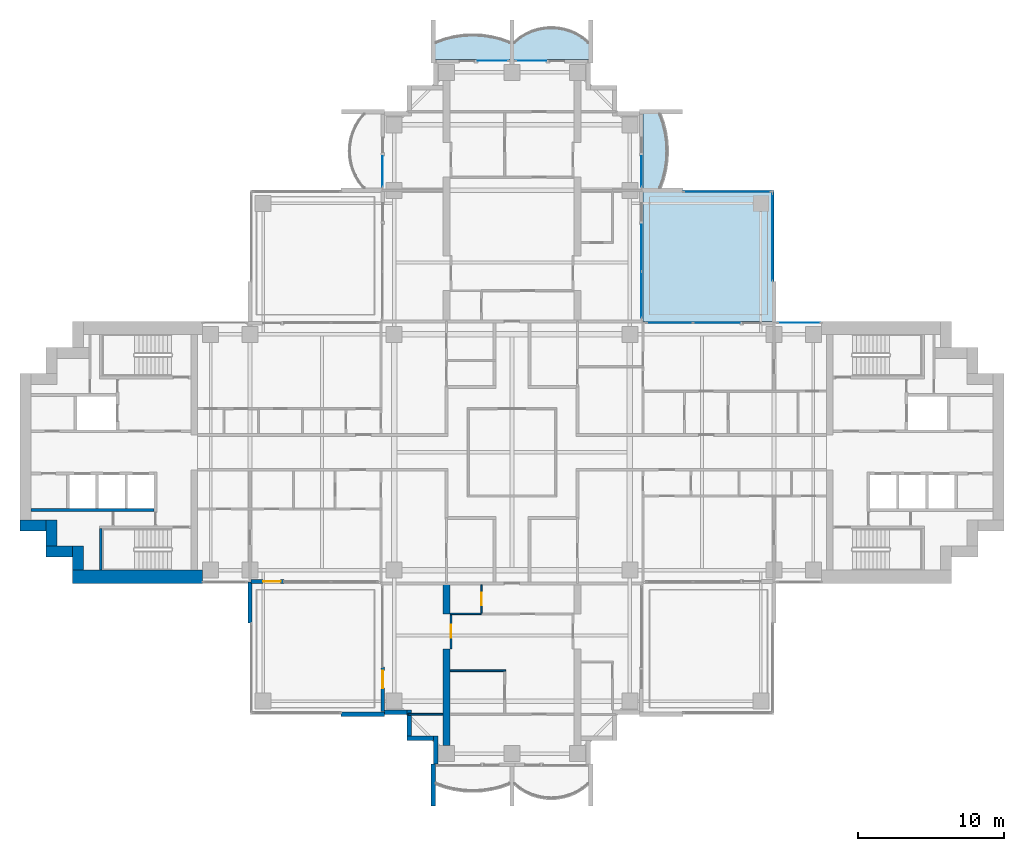
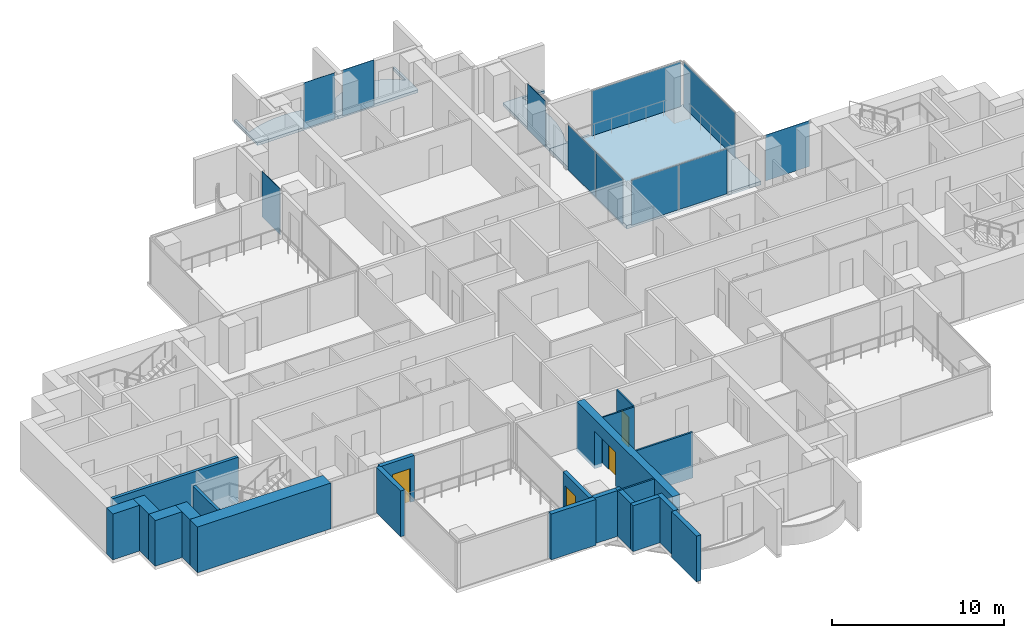
# One storey, part 8 of 18: 22 walls, 11 plates, 4 doors, 4 slabs, 4 openings, 9 elements without a shape of their own.
"""IFC4 building model written with IfcOpenShell, lengths in metres."""

from ifc_helpers import new_model, si_unit, direction, frame, frame_2d, origin, origin_2d, place, context, subcontext, project, spatial, polyline, rectangle, outline, extrude, material, layer, layer_set, material_profile, profile_set, type_object, element, fill, aggregate, save


model = new_model("IFC4")

# Units and contexts
model_context = context("Model", 3, precision=1e-05, world=origin(), true_north=direction((0.0, 1.0)))
body_context = subcontext(model_context, "Body", "Model", "MODEL_VIEW")
ifc_project = project(units=[si_unit("LENGTHUNIT", "METRE"), si_unit("AREAUNIT", "SQUARE_METRE"), si_unit("VOLUMEUNIT", "CUBIC_METRE"), si_unit("PLANEANGLEUNIT", "RADIAN"), si_unit("MASSUNIT", "GRAM", prefix="KILO")], contexts=[model_context])

# Site, building, storey
site_placement = place(None, origin())
site = spatial("IfcSite", under=ifc_project, at=site_placement, CompositionType="ELEMENT")
building_placement = place(site_placement, origin())
building = spatial("IfcBuilding", under=site, at=building_placement, Name="Perihelion Cross Residences", CompositionType="ELEMENT")
storey_placement = place(building_placement, frame((0.0, 0.0, 123.39990234375)))
storey = spatial("IfcBuildingStorey", under=building, at=storey_placement, Name="L29", CompositionType="ELEMENT", Elevation=123.39990234375)

# Slabs
ifc_material_1 = material(Name="Concrete C40/50", Category="concrete")
ifc_layer_1 = layer(ifc_material_1, 0.199951171875)
ifc_layer_set_1 = layer_set([ifc_layer_1], Name="Balcony slab 200")
slab_type_1 = type_object("IfcSlabType", Name="Balcony slab 200", PredefinedType="FLOOR", material=ifc_layer_set_1)
slab_1_placement = place(storey_placement, frame((0.0, 0.0, -0.199951171875)))
element("IfcSlab", 1, at=slab_1_placement, inside=storey, type_object=slab_type_1, Name="Slab BK1 L29 north side east bay 2 balcony", PredefinedType="FLOOR", context=body_context, shape_type="SweptSolid", body=[
    extrude(outline(polyline([(9.0, 18.0), (9.0, 23.39990234375), (11.699951171875, 23.39990234375), (11.699951171875, 23.25), (10.199951171875, 23.25), (10.423583984375, 22.612548828125), (10.57861328125, 21.97509765625), (10.669921875, 21.33740234375), (10.699951171875, 20.699951171875), (10.669921875, 20.0625), (10.57861328125, 19.425048828125), (10.423583984375, 18.78759765625), (10.199951171875, 18.14990234375), (11.699951171875, 18.14990234375), (11.699951171875, 18.0), (9.0, 18.0)])), origin(), (0.0, 0.0, 1.0), 0.199951171875),
])
slab_2_placement = place(storey_placement, frame((0.0, 0.0, -0.199951171875)))
element("IfcSlab", 2, at=slab_2_placement, inside=storey, type_object=slab_type_1, Name="Slab BK1 L29 north tip north bay 1 balcony", PredefinedType="FLOOR", context=body_context, shape_type="SweptSolid", body=[
    extrude(outline(polyline([(5.39990234375, 27.0), (0.0, 27.0), (0.0, 29.699951171875), (0.14990234375, 29.699951171875), (0.14990234375, 28.199951171875), (0.574951171875, 28.5400390625), (1.0, 28.792724609375), (1.425048828125, 28.9765625), (1.85009765625, 29.1025390625), (2.27490234375, 29.17578125), (2.699951171875, 29.199951171875), (3.125, 29.17578125), (3.550048828125, 29.1025390625), (3.97509765625, 28.9765625), (4.39990234375, 28.792724609375), (4.824951171875, 28.5400390625), (5.25, 28.199951171875), (5.25, 29.699951171875), (5.39990234375, 29.699951171875), (5.39990234375, 27.0)])), origin(), (0.0, 0.0, 1.0), 0.199951171875),
])
slab_3_placement = place(storey_placement, frame((0.0, 0.0, -0.199951171875)))
element("IfcSlab", 3, at=slab_3_placement, inside=storey, type_object=slab_type_1, Name="Slab BK1 L29 north tip north bay 2 balcony", PredefinedType="FLOOR", context=body_context, shape_type="SweptSolid", body=[
    extrude(outline(polyline([(0.0, 27.0), (-5.39990234375, 27.0), (-5.39990234375, 29.699951171875), (-5.25, 29.699951171875), (-5.25, 28.199951171875), (-4.612548828125, 28.423583984375), (-3.97509765625, 28.57861328125), (-3.33740234375, 28.669921875), (-2.699951171875, 28.699951171875), (-2.0625, 28.669921875), (-1.425048828125, 28.57861328125), (-0.78759765625, 28.423583984375), (-0.14990234375, 28.199951171875), (-0.14990234375, 29.699951171875), (0.0, 29.699951171875), (0.0, 27.0)])), origin(), (0.0, 0.0, 1.0), 0.199951171875),
])

# Curtain wall, plate
ifc_material_2 = material(Name="Bronze anodised aluminium, tinted glazing", Category="aluminium")
curtain_wall_type_1 = type_object("IfcCurtainWallType", Name="CW1", PredefinedType="NOTDEFINED", material=ifc_material_2)
curtain_wall_1_placement = place(storey_placement, origin())
curtain_wall_1 = element("IfcCurtainWall", 4, at=curtain_wall_1_placement, inside=storey, type_object=curtain_wall_type_1, Name="Curtain wall CW1 L29 east side north bay 1", PredefinedType="NOTDEFINED")
ifc_material_3 = material(Name="Tinted laminated glass", Category="glass")
ifc_layer_2 = layer(ifc_material_3, 0.028076171875)
ifc_layer_set_2 = layer_set([ifc_layer_2], Name="CW1 panel")
plate_type_1 = type_object("IfcPlateType", Name="CW1 panel", PredefinedType="CURTAIN_PANEL", material=ifc_layer_set_2)
plate_1_placement = place(storey_placement, frame((19.72509765625, 8.89990234375, 0.0), z_axis=(0.0, 0.0, 1.0), x_axis=(-1.0, 0.0, 0.0)))
plate_1 = element("IfcPlate", 5, at=plate_1_placement, type_object=plate_type_1, Name="CW1 panel 1", PredefinedType="CURTAIN_PANEL", context=body_context, shape_type="SweptSolid", body=[
    extrude(rectangle(XDim=2.929931640625, YDim=0.028076171875, at=origin_2d()), origin(), (0.0, 0.0, 1.0), 3.25),
])
aggregate(curtain_wall_1, [plate_1])

# Curtain wall, plates
curtain_wall_2_placement = place(storey_placement, origin())
curtain_wall_2 = element("IfcCurtainWall", 6, at=curtain_wall_2_placement, inside=storey, type_object=curtain_wall_type_1, Name="Curtain wall CW1 L29 east side north bay 2", PredefinedType="NOTDEFINED")
plate_2_placement = place(storey_placement, frame((14.052490234375, 8.89990234375, 0.000244140625), z_axis=(0.0, 0.0, 1.0), x_axis=(-1.0, 0.0, 0.0)))
plate_2 = element("IfcPlate", 7, at=plate_2_placement, type_object=plate_type_1, Name="CW1 panel 1", PredefinedType="CURTAIN_PANEL", context=body_context, shape_type="SweptSolid", body=[
    extrude(rectangle(XDim=3.195068359375, YDim=0.028076171875, at=origin_2d()), origin(), (0.0, 0.0, 1.0), 3.18994140625),
])
plate_3_placement = place(storey_placement, frame((10.827392578125, 8.89990234375, 0.000244140625), z_axis=(0.0, 0.0, 1.0), x_axis=(-1.0, 0.0, 0.0)))
plate_3 = element("IfcPlate", 8, at=plate_3_placement, type_object=plate_type_1, Name="CW1 panel 2", PredefinedType="CURTAIN_PANEL", context=body_context, shape_type="SweptSolid", body=[
    extrude(rectangle(XDim=3.135009765625, YDim=0.028076171875, at=origin_2d()), origin(), (0.0, 0.0, 1.0), 3.18994140625),
])
aggregate(curtain_wall_2, [plate_2, plate_3])

curtain_wall_3_placement = place(storey_placement, origin())
curtain_wall_3 = element("IfcCurtainWall", 9, at=curtain_wall_3_placement, inside=storey, type_object=curtain_wall_type_1, Name="Curtain wall CW1 L29 north side east bay 1", PredefinedType="NOTDEFINED")
plate_4_placement = place(storey_placement, frame((8.89990234375, 10.827392578125, 0.000244140625), z_axis=(0.0, 0.0, 1.0), x_axis=(0.0, 1.0, 0.0)))
plate_4 = element("IfcPlate", 10, at=plate_4_placement, type_object=plate_type_1, Name="CW1 panel 1", PredefinedType="CURTAIN_PANEL", context=body_context, shape_type="SweptSolid", body=[
    extrude(rectangle(XDim=3.135009765625, YDim=0.028076171875, at=origin_2d()), origin(), (0.0, 0.0, 1.0), 3.18994140625),
])
plate_5_placement = place(storey_placement, frame((8.89990234375, 14.052490234375, 0.000244140625), z_axis=(0.0, 0.0, 1.0), x_axis=(0.0, 1.0, 0.0)))
plate_5 = element("IfcPlate", 11, at=plate_5_placement, type_object=plate_type_1, Name="CW1 panel 2", PredefinedType="CURTAIN_PANEL", context=body_context, shape_type="SweptSolid", body=[
    extrude(rectangle(XDim=3.195068359375, YDim=0.028076171875, at=origin_2d()), origin(), (0.0, 0.0, 1.0), 3.18994140625),
])
aggregate(curtain_wall_3, [plate_4, plate_5])

# Curtain wall, plate
curtain_wall_4_placement = place(storey_placement, origin())
curtain_wall_4 = element("IfcCurtainWall", 12, at=curtain_wall_4_placement, inside=storey, type_object=curtain_wall_type_1, Name="Curtain wall CW1 L29 north side east bay 2", PredefinedType="NOTDEFINED")
plate_6_placement = place(storey_placement, frame((8.89990234375, 19.304931640625, 0.0), z_axis=(0.0, 0.0, 1.0), x_axis=(0.0, 1.0, 0.0)))
plate_6 = element("IfcPlate", 13, at=plate_6_placement, type_object=plate_type_1, Name="CW1 panel 1", PredefinedType="CURTAIN_PANEL", context=body_context, shape_type="SweptSolid", body=[
    extrude(rectangle(XDim=2.090087890625, YDim=0.028076171875, at=origin_2d()), origin(), (0.0, 0.0, 1.0), 3.25),
])
aggregate(curtain_wall_4, [plate_6])

curtain_wall_5_placement = place(storey_placement, origin())
curtain_wall_5 = element("IfcCurtainWall", 14, at=curtain_wall_5_placement, inside=storey, type_object=curtain_wall_type_1, Name="Curtain wall CW1 L29 north tip north bay 1", PredefinedType="NOTDEFINED")
plate_7_placement = place(storey_placement, frame((1.304931640625, 26.89990234375, 0.0), z_axis=(0.0, 0.0, 1.0), x_axis=(-1.0, 0.0, 0.0)))
plate_7 = element("IfcPlate", 15, at=plate_7_placement, type_object=plate_type_1, Name="CW1 panel 1", PredefinedType="CURTAIN_PANEL", context=body_context, shape_type="SweptSolid", body=[
    extrude(rectangle(XDim=2.090087890625, YDim=0.028076171875, at=origin_2d()), origin(), (0.0, 0.0, 1.0), 3.25),
])
aggregate(curtain_wall_5, [plate_7])

curtain_wall_6_placement = place(storey_placement, origin())
curtain_wall_6 = element("IfcCurtainWall", 16, at=curtain_wall_6_placement, inside=storey, type_object=curtain_wall_type_1, Name="Curtain wall CW1 L29 north tip north bay 2", PredefinedType="NOTDEFINED")
plate_8_placement = place(storey_placement, frame((-1.304931640625, 26.89990234375, 0.0), z_axis=(0.0, 0.0, 1.0), x_axis=(-1.0, 0.0, 0.0)))
plate_8 = element("IfcPlate", 17, at=plate_8_placement, type_object=plate_type_1, Name="CW1 panel 1", PredefinedType="CURTAIN_PANEL", context=body_context, shape_type="SweptSolid", body=[
    extrude(rectangle(XDim=2.090087890625, YDim=0.028076171875, at=origin_2d()), origin(), (0.0, 0.0, 1.0), 3.25),
])
aggregate(curtain_wall_6, [plate_8])

curtain_wall_7_placement = place(storey_placement, origin())
curtain_wall_7 = element("IfcCurtainWall", 18, at=curtain_wall_7_placement, inside=storey, type_object=curtain_wall_type_1, Name="Curtain wall CW1 L29 north side west bay 1", PredefinedType="NOTDEFINED")
plate_9_placement = place(storey_placement, frame((-8.89990234375, 19.304931640625, 0.0), z_axis=(0.0, 0.0, 1.0), x_axis=(0.0, -1.0, 0.0)))
plate_9 = element("IfcPlate", 19, at=plate_9_placement, type_object=plate_type_1, Name="CW1 panel 1", PredefinedType="CURTAIN_PANEL", context=body_context, shape_type="SweptSolid", body=[
    extrude(rectangle(XDim=2.090087890625, YDim=0.028076171875, at=origin_2d()), origin(), (0.0, 0.0, 1.0), 3.25),
])
aggregate(curtain_wall_7, [plate_9])

ifc_material_4 = material(Name="Bronze anodised aluminium, tinted glazing", Category="aluminium")
curtain_wall_type_2 = type_object("IfcCurtainWallType", Name="CW4", PredefinedType="NOTDEFINED", material=ifc_material_4)
curtain_wall_8_placement = place(storey_placement, origin())
curtain_wall_8 = element("IfcCurtainWall", 20, at=curtain_wall_8_placement, inside=storey, type_object=curtain_wall_type_2, Name="Curtain wall CW4 L29 pocket north-east 1 1", PredefinedType="NOTDEFINED")
ifc_material_5 = material(Name="Tinted laminated glass", Category="glass")
ifc_layer_3 = layer(ifc_material_5, 0.030029296875)
ifc_layer_set_3 = layer_set([ifc_layer_3], Name="CW4 panel")
plate_type_2 = type_object("IfcPlateType", Name="CW4 panel", PredefinedType="CURTAIN_PANEL", material=ifc_layer_set_3)
plate_10_placement = place(storey_placement, frame((14.784912109375, 17.89990234375, 0.000244140625), z_axis=(0.0, 0.0, 1.0), x_axis=(1.0, 0.0, 0.0)))
plate_10 = element("IfcPlate", 21, at=plate_10_placement, type_object=plate_type_2, Name="CW4 panel 1", PredefinedType="CURTAIN_PANEL", context=body_context, shape_type="SweptSolid", body=[
    extrude(rectangle(XDim=5.969970703125, YDim=0.030029296875, at=origin_2d()), origin(), (0.0, 0.0, 1.0), 3.18994140625),
])
aggregate(curtain_wall_8, [plate_10])

curtain_wall_9_placement = place(storey_placement, origin())
curtain_wall_9 = element("IfcCurtainWall", 22, at=curtain_wall_9_placement, inside=storey, type_object=curtain_wall_type_2, Name="Curtain wall CW4 L29 pocket north-east 1 2", PredefinedType="NOTDEFINED")
plate_11_placement = place(storey_placement, frame((17.89990234375, 14.784912109375, 0.000244140625), z_axis=(0.0, 0.0, 1.0), x_axis=(0.0, -1.0, 0.0)))
plate_11 = element("IfcPlate", 23, at=plate_11_placement, type_object=plate_type_2, Name="CW4 panel 1", PredefinedType="CURTAIN_PANEL", context=body_context, shape_type="SweptSolid", body=[
    extrude(rectangle(XDim=5.969970703125, YDim=0.030029296875, at=origin_2d()), origin(), (0.0, 0.0, 1.0), 3.18994140625),
])
aggregate(curtain_wall_9, [plate_11])

# Slab
ifc_material_6 = material(Name="Concrete C40/50", Category="concrete")
ifc_layer_4 = layer(ifc_material_6, 0.25)
ifc_layer_set_4 = layer_set([ifc_layer_4], Name="Winter garden slab")
slab_type_2 = type_object("IfcSlabType", Name="Winter garden slab", PredefinedType="FLOOR", material=ifc_layer_set_4)
slab_4_placement = place(storey_placement, frame((0.0, 0.0, -0.25)))
element("IfcSlab", 24, at=slab_4_placement, inside=storey, type_object=slab_type_2, Name="Slab BK3 L29 pocket north-east", PredefinedType="FLOOR", context=body_context, shape_type="SweptSolid", body=[
    extrude(outline(polyline([(18.0, 9.0), (18.0, 18.0), (9.0, 18.0), (9.0, 9.0), (18.0, 9.0)])), origin(), (0.0, 0.0, 1.0), 0.25),
])

# Wall, opening, door
ifc_material_7 = material(Name="Concrete C30/37, bronze-clad", Category="concrete")
ifc_layer_5 = layer(ifc_material_7, 0.25)
ifc_layer_set_5 = layer_set([ifc_layer_5], Name="Bronze-clad pier wall 250")
wall_type_1 = type_object("IfcWallType", Name="Bronze-clad pier wall 250", PredefinedType="SOLIDWALL", material=ifc_layer_set_5)
wall_1_placement = place(storey_placement, frame((-17.93994140625, -8.875, 0.0), z_axis=(0.0, 0.0, 1.0), x_axis=(1.0, 0.0, 0.0)))
wall_1 = element("IfcWall", 25, at=wall_1_placement, inside=storey, type_object=wall_type_1, Name="Wall FW1 L29 west side south bay 2 pier", PredefinedType="SOLIDWALL", context=body_context, shape_type="SweptSolid", body=[
    extrude(rectangle(XDim=2.2900390625, YDim=0.25, at=frame_2d((1.14501953125, 0.0))), origin(), (0.0, 0.0, 1.0), 3.25),
])
opening_1_placement = place(wall_1_placement, frame((0.840087890625, 0.0, 0.0)))
opening_1 = element("IfcOpeningElement", 26, at=opening_1_placement, cuts=wall_1, Name="Opening L29.E09", PredefinedType="OPENING", context=body_context, shape_type="SweptSolid", body=[
    extrude(rectangle(XDim=1.199951171875, YDim=2.39990234375, at=frame_2d((0.60009765625, 1.199951171875))), frame((0.0, 0.135009765625, 0.0), z_axis=(0.0, -1.0, 0.0), x_axis=(1.0, 0.0, 0.0)), (0.0, 0.0, 1.0), 0.27001953125),
])
ifc_material_8 = material(Name="Bronze anodised aluminium, glazed", Category="aluminium")
door_type_1 = type_object("IfcDoorType", Name="Balcony door 1200 x 2400", OperationType="NOTDEFINED", PredefinedType="DOOR", material=ifc_material_8)
door_1_placement = place(opening_1_placement, origin())
door_1 = element("IfcDoor", 27, at=door_1_placement, inside=storey, type_object=door_type_1, Name="Door L29.E09 west side south bay 2", OperationType="SINGLE_SWING_RIGHT", OverallHeight=2.39990234375, OverallWidth=1.199951171875, PredefinedType="DOOR", context=body_context, shape_type="SweptSolid", body=[
    extrude(rectangle(XDim=1.199951171875, YDim=2.39990234375, at=frame_2d((0.60009765625, 1.199951171875))), frame((0.0, 0.02490234375, 0.0), z_axis=(0.0, -1.0, 0.0), x_axis=(1.0, 0.0, 0.0)), (0.0, 0.0, 1.0), 0.050048828125),
])
fill(opening_1, door_1)

wall_2_placement = place(storey_placement, frame((-8.875, -14.75, 0.0), z_axis=(0.0, 0.0, 1.0), x_axis=(0.0, -1.0, 0.0)))
wall_2 = element("IfcWall", 28, at=wall_2_placement, inside=storey, type_object=wall_type_1, Name="Wall FW1 L29 south side west bay 1 pier", PredefinedType="SOLIDWALL", context=body_context, shape_type="SweptSolid", body=[
    extrude(rectangle(XDim=3.050048828125, YDim=0.25, at=frame_2d((1.52490234375, 0.0))), origin(), (0.0, 0.0, 1.0), 3.25),
])
opening_2_placement = place(wall_2_placement, frame((0.25, 0.0, 0.0)))
opening_2 = element("IfcOpeningElement", 29, at=opening_2_placement, cuts=wall_2, Name="Opening L29.E10", PredefinedType="OPENING", context=body_context, shape_type="SweptSolid", body=[
    extrude(rectangle(XDim=1.199951171875, YDim=2.39990234375, at=frame_2d((0.60009765625, 1.199951171875))), frame((0.0, 0.135009765625, 0.0), z_axis=(0.0, -1.0, 0.0), x_axis=(1.0, 0.0, 0.0)), (0.0, 0.0, 1.0), 0.27001953125),
])
door_2_placement = place(opening_2_placement, origin())
door_2 = element("IfcDoor", 30, at=door_2_placement, inside=storey, type_object=door_type_1, Name="Door L29.E10 south side west bay 1", OperationType="SINGLE_SWING_LEFT", OverallHeight=2.39990234375, OverallWidth=1.199951171875, PredefinedType="DOOR", context=body_context, shape_type="SweptSolid", body=[
    extrude(rectangle(XDim=1.199951171875, YDim=2.39990234375, at=frame_2d((0.60009765625, 1.199951171875))), frame((0.0, 0.02490234375, 0.0), z_axis=(0.0, -1.0, 0.0), x_axis=(1.0, 0.0, 0.0)), (0.0, 0.0, 1.0), 0.050048828125),
])
fill(opening_2, door_2)

# Walls
ifc_material_9 = material(Name="Concrete C30/37, bronze-clad", Category="concrete")
ifc_layer_6 = layer(ifc_material_9, 0.300048828125)
ifc_layer_set_6 = layer_set([ifc_layer_6], Name="Bronze-clad serration wall 300")
wall_type_2 = type_object("IfcWallType", Name="Bronze-clad serration wall 300", PredefinedType="SOLIDWALL", material=ifc_layer_set_6)
wall_3_placement = place(storey_placement, frame((-8.75, -17.85009765625, 0.0), z_axis=(0.0, 0.0, 1.0), x_axis=(1.0, 0.0, 0.0)))
element("IfcWall", 31, at=wall_3_placement, inside=storey, type_object=wall_type_2, Name="Wall SR1 L29 south corner south-west 1", PredefinedType="SOLIDWALL", context=body_context, shape_type="SweptSolid", body=[
    extrude(rectangle(XDim=1.550048828125, YDim=0.300048828125, at=frame_2d((0.77490234375, 0.0))), origin(), (0.0, 0.0, 1.0), 3.25),
])
for number, where, z_axis, x_axis, name in (
    (32, (-7.050048828125, -17.699951171875, 0.0), (0.0, 0.0, 1.0), (0.0, -1.0, 0.0), "Wall SR1 L29 south corner south-west 2"),
    (33, (-7.199951171875, -19.64990234375, 0.0), (0.0, 0.0, 1.0), (1.0, 0.0, 0.0), "Wall SR1 L29 south corner south-west 3"),
):
    element("IfcWall", number, at=place(storey_placement, frame(where, z_axis=z_axis, x_axis=x_axis)), inside=storey, type_object=wall_type_2, Name=name, PredefinedType="SOLIDWALL", context=body_context, shape_type="SweptSolid", body=[
        extrude(rectangle(XDim=1.800048828125, YDim=0.300048828125, at=frame_2d((0.89990234375, 0.0))), origin(), (0.0, 0.0, 1.0), 3.25),
    ])
wall_4_placement = place(storey_placement, frame((-5.25, -19.5, 0.0), z_axis=(0.0, 0.0, 1.0), x_axis=(0.0, -1.0, 0.0)))
element("IfcWall", 34, at=wall_4_placement, inside=storey, type_object=wall_type_2, Name="Wall SR1 L29 south corner south-west 4", PredefinedType="SOLIDWALL", context=body_context, shape_type="SweptSolid", body=[
    extrude(rectangle(XDim=1.919921875, YDim=0.300048828125, at=frame_2d((0.9599609375, 0.0))), origin(), (0.0, 0.0, 1.0), 3.25),
])
ifc_material_10 = material(Name="Concrete C60/75", Category="concrete")
ifc_layer_7 = layer(ifc_material_10, 0.75)
ifc_layer_set_7 = layer_set([ifc_layer_7], Name="Core wall, outer 750")
wall_type_3 = type_object("IfcWallType", Name="Core wall, outer 750", PredefinedType="SHEAR", material=ifc_layer_set_7)
wall_5_placement = place(storey_placement, frame((-29.824951171875, -8.10009765625, 0.0), z_axis=(0.0, 0.0, 1.0), x_axis=(0.0, 1.0, 0.0)))
element("IfcWall", 35, at=wall_5_placement, inside=storey, type_object=wall_type_3, Name="West core core wall, outer", PredefinedType="SHEAR", context=body_context, shape_type="SweptSolid", body=[
    extrude(rectangle(XDim=1.650146484375, YDim=0.75, at=frame_2d((0.8251953125, 0.0))), origin(), (0.0, 0.0, 1.0), 3.25),
])
for number, where, z_axis, x_axis, name in (
    (36, (-32.0, -6.824951171875, 0.0), (0.0, 0.0, 1.0), (1.0, 0.0, 0.0), "West core core wall, outer"),
    (37, (-31.625, -6.449951171875, 0.0), (0.0, 0.0, 1.0), (0.0, 1.0, 0.0), "West core core wall, outer"),
    (38, (-33.800048828125, -5.02490234375, 0.0), (0.0, 0.0, 1.0), (1.0, 0.0, 0.0), "West core core wall, outer"),
):
    element("IfcWall", number, at=place(storey_placement, frame(where, z_axis=z_axis, x_axis=x_axis)), inside=storey, type_object=wall_type_3, Name=name, PredefinedType="SHEAR", context=body_context, shape_type="SweptSolid", body=[
        extrude(rectangle(XDim=1.800048828125, YDim=0.75, at=frame_2d((0.89990234375, 0.0))), origin(), (0.0, 0.0, 1.0), 3.25),
    ])
ifc_material_11 = material(Name="Concrete C60/75", Category="concrete")
ifc_layer_8 = layer(ifc_material_11, 0.89990234375)
ifc_layer_set_8 = layer_set([ifc_layer_8], Name="Core wall, outer 900")
wall_type_4 = type_object("IfcWallType", Name="Core wall, outer 900", PredefinedType="SHEAR", material=ifc_layer_set_8)
wall_6_placement = place(storey_placement, frame((-30.199951171875, -8.550048828125, 0.0), z_axis=(0.0, 0.0, 1.0), x_axis=(1.0, 0.0, 0.0)))
element("IfcWall", 39, at=wall_6_placement, inside=storey, type_object=wall_type_4, Name="West core core wall, outer", PredefinedType="SHEAR", context=body_context, shape_type="SweptSolid", body=[
    extrude(rectangle(XDim=8.949951171875, YDim=0.89990234375, at=frame_2d((4.47509765625, 0.0))), origin(), (0.0, 0.0, 1.0), 3.25),
])

# Wall, opening, door
ifc_material_12 = material(Name="Plasterboard partition")
ifc_layer_9 = layer(ifc_material_12, 0.1201171875)
ifc_layer_set_9 = layer_set([ifc_layer_9], Name="Infill panel 120")
wall_type_5 = type_object("IfcWallType", Name="Infill panel 120", PredefinedType="PARTITIONING", material=ifc_layer_set_9)
wall_7_placement = place(storey_placement, frame((-4.18994140625, -11.10009765625, 0.0), z_axis=(0.0, 0.0, 1.0), x_axis=(0.0, -1.0, 0.0)))
wall_7 = element("IfcWall", 40, at=wall_7_placement, inside=storey, type_object=wall_type_5, Name="Partition L29 WI06", PredefinedType="PARTITIONING", context=body_context, shape_type="SweptSolid", body=[
    extrude(rectangle(XDim=2.39990234375, YDim=0.1201171875, at=frame_2d((1.199951171875, 0.0))), origin(), (0.0, 0.0, 1.0), 2.400146484375),
])
opening_3_placement = place(wall_7_placement, frame((0.75, 0.0, 0.0)))
opening_3 = element("IfcOpeningElement", 41, at=opening_3_placement, cuts=wall_7, Name="Opening L29.A54", PredefinedType="OPENING", context=body_context, shape_type="SweptSolid", body=[
    extrude(rectangle(XDim=0.89990234375, YDim=2.10009765625, at=frame_2d((0.449951171875, 1.050048828125))), frame((0.0, 0.070068359375, 0.0), z_axis=(0.0, -1.0, 0.0), x_axis=(1.0, 0.0, 0.0)), (0.0, 0.0, 1.0), 0.14013671875),
])
ifc_material_13 = material(Name="Timber door leaf", Category="wood")
door_type_2 = type_object("IfcDoorType", Name="Interior room door 900 x 2100", OperationType="SINGLE_SWING_LEFT", PredefinedType="DOOR", material=ifc_material_13)
door_3_placement = place(opening_3_placement, origin())
door_3 = element("IfcDoor", 42, at=door_3_placement, inside=storey, type_object=door_type_2, Name="Door L29.A54", OperationType="SINGLE_SWING_RIGHT", OverallHeight=2.10009765625, OverallWidth=0.89990234375, PredefinedType="DOOR", context=body_context, shape_type="SweptSolid", body=[
    extrude(rectangle(XDim=0.89990234375, YDim=2.10009765625, at=frame_2d((0.449951171875, 1.050048828125))), frame((0.0, 0.02490234375, 0.0), z_axis=(0.0, -1.0, 0.0), x_axis=(1.0, 0.0, 0.0)), (0.0, 0.0, 1.0), 0.050048828125),
])
fill(opening_3, door_3)

# Walls
ifc_material_14 = material(Name="Plasterboard partition")
ifc_layer_10 = layer(ifc_material_14, 0.1201171875)
ifc_layer_set_10 = layer_set([ifc_layer_10], Name="Partition wall 120")
wall_type_6 = type_object("IfcWallType", Name="Partition wall 120", PredefinedType="PARTITIONING", material=ifc_layer_set_10)
wall_8_placement = place(storey_placement, frame((-0.43994140625, -15.0, 0.0), z_axis=(0.0, 0.0, 1.0), x_axis=(-1.0, 0.0, 0.0)))
element("IfcWall", 43, at=wall_8_placement, inside=storey, type_object=wall_type_6, Name="Partition L29 W078", PredefinedType="PARTITIONING", context=body_context, shape_type="SweptSolid", body=[
    extrude(rectangle(XDim=3.81005859375, YDim=0.1201171875, at=frame_2d((1.905029296875, 0.0))), origin(), (0.0, 0.0, 1.0), 3.25),
])
wall_9_placement = place(storey_placement, frame((-4.75, -18.0, 0.0), z_axis=(0.0, 0.0, 1.0), x_axis=(-1.0, 0.0, 0.0)))
element("IfcWall", 44, at=wall_9_placement, inside=storey, type_object=wall_type_6, Name="Partition L29 W083", PredefinedType="PARTITIONING", context=body_context, shape_type="SweptSolid", body=[
    extrude(rectangle(XDim=2.3701171875, YDim=0.1201171875, at=frame_2d((1.18505859375, 0.0))), origin(), (0.0, 0.0, 1.0), 3.25),
])
ifc_material_15 = material(Name="Precast concrete C50/60", Category="concrete")
ifc_layer_11 = layer(ifc_material_15, 0.300048828125)
ifc_layer_set_11 = layer_set([ifc_layer_11], Name="Precast concrete C50/60 blade wall 300")
wall_type_7 = type_object("IfcWallType", Name="Precast concrete C50/60 blade wall 300", PredefinedType="SOLIDWALL", material=ifc_layer_set_11)
wall_10_placement = place(storey_placement, frame((-18.0, -8.919921875, 0.0), z_axis=(0.0, 0.0, 1.0), x_axis=(0.0, -1.0, 0.0)))
element("IfcWall", 45, at=wall_10_placement, inside=storey, type_object=wall_type_7, Name="Wall BL1 L29 no. 1", PredefinedType="SOLIDWALL", context=body_context, shape_type="SweptSolid", body=[
    extrude(rectangle(XDim=2.820068359375, YDim=0.300048828125, at=frame_2d((1.41015625, 0.0))), origin(), (0.0, 0.0, 1.0), 3.25),
])
wall_11_placement = place(storey_placement, frame((-8.75, -18.0, 0.0), z_axis=(0.0, 0.0, 1.0), x_axis=(-1.0, 0.0, 0.0)))
element("IfcWall", 46, at=wall_11_placement, inside=storey, type_object=wall_type_7, Name="Wall BL1 L29 no. 5", PredefinedType="SOLIDWALL", context=body_context, shape_type="SweptSolid", body=[
    extrude(rectangle(XDim=2.989990234375, YDim=0.300048828125, at=frame_2d((1.4951171875, 0.0))), origin(), (0.0, 0.0, 1.0), 3.25),
])
wall_12_placement = place(storey_placement, frame((-5.39990234375, -21.419921875, 0.0), z_axis=(0.0, 0.0, 1.0), x_axis=(0.0, -1.0, 0.0)))
element("IfcWall", 47, at=wall_12_placement, inside=storey, type_object=wall_type_7, Name="Wall BL1 L29 no. 3", PredefinedType="SOLIDWALL", context=body_context, shape_type="SweptSolid", body=[
    extrude(rectangle(XDim=2.880126953125, YDim=0.300048828125, at=frame_2d((1.43994140625, 0.0))), origin(), (0.0, 0.0, 1.0), 3.25),
])
ifc_material_16 = material(Name="Concrete C50/60", Category="concrete")
ifc_layer_12 = layer(ifc_material_16, 0.199951171875)
ifc_layer_set_12 = layer_set([ifc_layer_12], Name="Shaft wall 200")
wall_type_8 = type_object("IfcWallType", Name="Shaft wall 200", PredefinedType="SOLIDWALL", material=ifc_layer_set_12)
wall_13_placement = place(storey_placement, frame((-33.050048828125, -3.949951171875, 0.0), z_axis=(0.0, 0.0, 1.0), x_axis=(1.0, 0.0, 0.0)))
element("IfcWall", 48, at=wall_13_placement, inside=storey, type_object=wall_type_8, Name="West core shaft wall", PredefinedType="SOLIDWALL", context=body_context, shape_type="SweptSolid", body=[
    extrude(rectangle(XDim=8.449951171875, YDim=0.199951171875, at=frame_2d((4.22509765625, 0.0))), origin(), (0.0, 0.0, 1.0), 3.25),
])
ifc_material_17 = material(Name="Concrete C50/60", Category="concrete")
ifc_layer_13 = layer(ifc_material_17, 0.199951171875)
ifc_layer_set_13 = layer_set([ifc_layer_13], Name="Stair wall 200")
wall_type_9 = type_object("IfcWallType", Name="Stair wall 200", PredefinedType="SOLIDWALL", material=ifc_layer_set_13)
wall_14_placement = place(storey_placement, frame((-28.25, -8.10009765625, 0.0), z_axis=(0.0, 0.0, 1.0), x_axis=(0.0, 1.0, 0.0)))
element("IfcWall", 49, at=wall_14_placement, inside=storey, type_object=wall_type_9, Name="West core stair wall", PredefinedType="SOLIDWALL", context=body_context, shape_type="SweptSolid", body=[
    extrude(rectangle(XDim=2.85009765625, YDim=0.199951171875, at=frame_2d((1.425048828125, 0.0))), origin(), (0.0, 0.0, 1.0), 3.25),
])
ifc_material_18 = material(Name="Concrete C60/75", Category="concrete")
ifc_material_profile = material_profile(ifc_material_18, outline(polyline([(0.0, 0.0), (6.64990234375, 0.0), (6.64990234375, 2.64990234375), (9.050048828125, 2.64990234375), (9.050048828125, 0.0), (11.14990234375, 0.0), (11.14990234375, 3.5), (0.0, 3.5), (0.0, 0.0)])), Name="Tip spine wall")
ifc_profile_set = profile_set([ifc_material_profile], Name="Concrete C60/75")
wall_type_10 = type_object("IfcWallType", Name="Tip spine wall 500 with 1 door openings 11150 long 3500 high concrete C60/75", PredefinedType="SHEAR", material=ifc_profile_set)
wall_15_placement = place(storey_placement, frame((-4.75, -20.14990234375, -0.25), z_axis=(1.0, 0.0, 0.0), x_axis=(0.0, 1.0, 0.0)))
element("IfcWall", 50, at=wall_15_placement, inside=storey, type_object=wall_type_10, Name="Shear wall SW33 L29 south west", PredefinedType="SHEAR", context=body_context, shape_type="SweptSolid", body=[
    extrude(outline(polyline([(0.0, 0.0), (6.64990234375, 0.0), (6.64990234375, 2.64990234375), (9.050048828125, 2.64990234375), (9.050048828125, 0.0), (11.14990234375, 0.0), (11.14990234375, 3.5), (0.0, 3.5), (0.0, 0.0)])), origin(), (0.0, 0.0, 1.0), 0.5),
])

# Wall, opening, door
ifc_material_19 = material(Name="Plasterboard partition")
ifc_layer_14 = layer(ifc_material_19, 0.10009765625)
ifc_layer_set_14 = layer_set([ifc_layer_14], Name="Wet room wall 100")
wall_type_11 = type_object("IfcWallType", Name="Wet room wall 100", PredefinedType="PARTITIONING", material=ifc_layer_set_14)
wall_16_placement = place(storey_placement, frame((-2.10009765625, -11.0400390625, 0.0), z_axis=(0.0, 0.0, 1.0), x_axis=(0.0, 1.0, 0.0)))
wall_16 = element("IfcWall", 51, at=wall_16_placement, inside=storey, type_object=wall_type_11, Name="Partition L29 W074", PredefinedType="PARTITIONING", context=body_context, shape_type="SweptSolid", body=[
    extrude(rectangle(XDim=1.93994140625, YDim=0.10009765625, at=frame_2d((0.969970703125, 0.0))), origin(), (0.0, 0.0, 1.0), 3.25),
])
opening_4_placement = place(wall_16_placement, frame((0.544921875, 0.0, 0.0)))
opening_4 = element("IfcOpeningElement", 52, at=opening_4_placement, cuts=wall_16, Name="Opening L29.A40", PredefinedType="OPENING", context=body_context, shape_type="SweptSolid", body=[
    extrude(rectangle(XDim=0.85009765625, YDim=2.10009765625, at=frame_2d((0.425048828125, 1.050048828125))), frame((0.0, 0.06005859375, 0.0), z_axis=(0.0, -1.0, 0.0), x_axis=(1.0, 0.0, 0.0)), (0.0, 0.0, 1.0), 0.1201171875),
])
ifc_material_20 = material(Name="Timber door leaf", Category="wood")
door_type_3 = type_object("IfcDoorType", Name="Interior bathroom door 850 x 2100", OperationType="SINGLE_SWING_LEFT", PredefinedType="DOOR", material=ifc_material_20)
door_4_placement = place(opening_4_placement, origin())
door_4 = element("IfcDoor", 53, at=door_4_placement, inside=storey, type_object=door_type_3, Name="Door L29.A40", OperationType="SINGLE_SWING_RIGHT", OverallHeight=2.10009765625, OverallWidth=0.85009765625, PredefinedType="DOOR", context=body_context, shape_type="SweptSolid", body=[
    extrude(rectangle(XDim=0.85009765625, YDim=2.10009765625, at=frame_2d((0.425048828125, 1.050048828125))), frame((0.0, 0.02490234375, 0.0), z_axis=(0.0, -1.0, 0.0), x_axis=(1.0, 0.0, 0.0)), (0.0, 0.0, 1.0), 0.050048828125),
])
fill(opening_4, door_4)

# Wall
wall_17_placement = place(storey_placement, frame((-2.10009765625, -11.10009765625, 0.0), z_axis=(0.0, 0.0, 1.0), x_axis=(-1.0, 0.0, 0.0)))
element("IfcWall", 54, at=wall_17_placement, inside=storey, type_object=wall_type_11, Name="Partition L29 W076", PredefinedType="PARTITIONING", context=body_context, shape_type="SweptSolid", body=[
    extrude(rectangle(XDim=2.14990234375, YDim=0.10009765625, at=frame_2d((1.074951171875, 0.0))), origin(), (0.0, 0.0, 1.0), 3.25),
])

save(model, "model.ifc")
